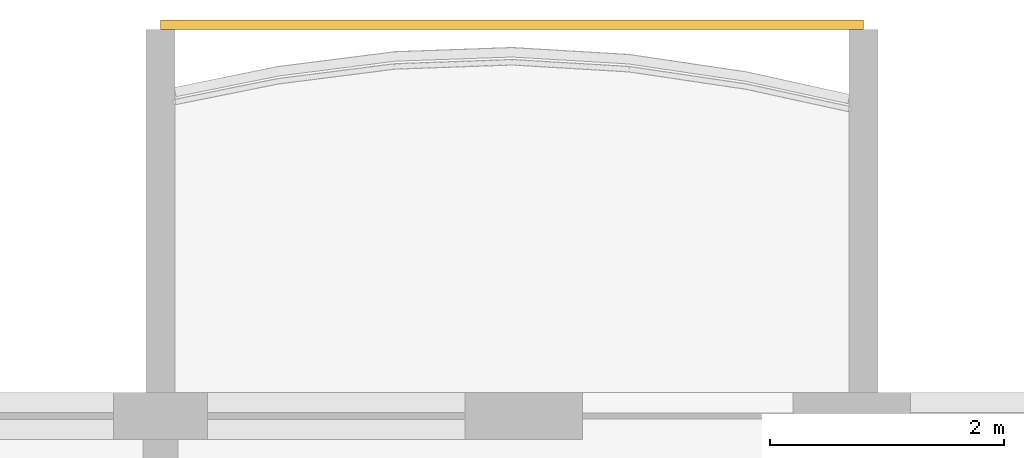
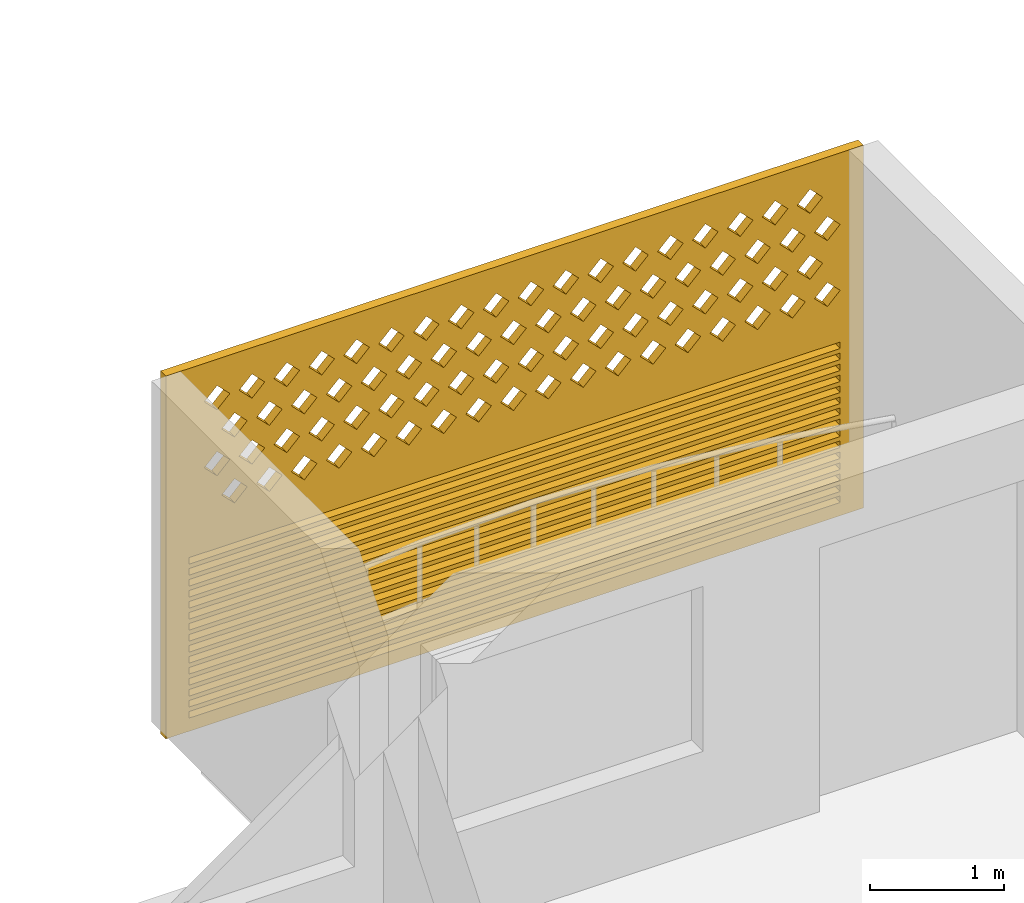
# One storey, part 22 of 26: 1 covering.
"""IFC4 building model written with IfcOpenShell, lengths in metres."""

from ifc_helpers import new_model, si_unit, direction, frame, origin, place, context, subcontext, project, spatial, polyline, outline, extrude, source, transform, mapped, material, material_profile, profile_set, type_object, element, save


model = new_model("IFC4")

# Units and contexts
model_context = context("Model", 3, precision=1e-05, world=origin(), true_north=direction((0.0, 1.0)))
body_context = subcontext(model_context, "Body", "Model", "MODEL_VIEW")
ifc_project = project(units=[si_unit("LENGTHUNIT", "METRE"), si_unit("AREAUNIT", "SQUARE_METRE"), si_unit("VOLUMEUNIT", "CUBIC_METRE"), si_unit("PLANEANGLEUNIT", "RADIAN"), si_unit("MASSUNIT", "GRAM", prefix="KILO")], contexts=[model_context])

# Site, building, storey
site_placement = place(None, origin())
site = spatial("IfcSite", under=ifc_project, at=site_placement, CompositionType="ELEMENT")
building_placement = place(site_placement, origin())
building = spatial("IfcBuilding", under=site, at=building_placement, Name="Poui Terraces", CompositionType="ELEMENT")
storey_placement = place(building_placement, frame((0.0, 0.0, 162.0)))
storey = spatial("IfcBuildingStorey", under=building, at=storey_placement, Name="L45", CompositionType="ELEMENT", Elevation=162.0)

# Covering
ifc_material = material(Name="Terracotta screen", Category="masonry")
ifc_material_profile = material_profile(ifc_material, outline(polyline([(-3.0, -1.64990234375), (3.0, -1.64990234375), (3.0, 1.64990234375), (-3.0, 1.64990234375), (-3.0, -1.64990234375)]), holes=[polyline([(-2.800048828125, 0.39990234375), (-2.68994140625, 0.2900390625), (-2.580078125, 0.39990234375), (-2.68994140625, 0.510009765625), (-2.800048828125, 0.39990234375)]), polyline([(-2.5, 0.39990234375), (-2.389892578125, 0.2900390625), (-2.280029296875, 0.39990234375), (-2.389892578125, 0.510009765625), (-2.5, 0.39990234375)]), polyline([(-2.199951171875, 0.39990234375), (-2.090087890625, 0.2900390625), (-1.97998046875, 0.39990234375), (-2.090087890625, 0.510009765625), (-2.199951171875, 0.39990234375)]), polyline([(-1.89990234375, 0.39990234375), (-1.7900390625, 0.2900390625), (-1.679931640625, 0.39990234375), (-1.7900390625, 0.510009765625), (-1.89990234375, 0.39990234375)]), polyline([(-1.60009765625, 0.39990234375), (-1.489990234375, 0.2900390625), (-1.3798828125, 0.39990234375), (-1.489990234375, 0.510009765625), (-1.60009765625, 0.39990234375)]), polyline([(-1.300048828125, 0.39990234375), (-1.18994140625, 0.2900390625), (-1.080078125, 0.39990234375), (-1.18994140625, 0.510009765625), (-1.300048828125, 0.39990234375)]), polyline([(-1.0, 0.39990234375), (-0.889892578125, 0.2900390625), (-0.780029296875, 0.39990234375), (-0.889892578125, 0.510009765625), (-1.0, 0.39990234375)]), polyline([(-0.699951171875, 0.39990234375), (-0.590087890625, 0.2900390625), (-0.47998046875, 0.39990234375), (-0.590087890625, 0.510009765625), (-0.699951171875, 0.39990234375)]), polyline([(-0.39990234375, 0.39990234375), (-0.2900390625, 0.2900390625), (-0.179931640625, 0.39990234375), (-0.2900390625, 0.510009765625), (-0.39990234375, 0.39990234375)]), polyline([(-0.10009765625, 0.39990234375), (0.010009765625, 0.2900390625), (0.1201171875, 0.39990234375), (0.010009765625, 0.510009765625), (-0.10009765625, 0.39990234375)]), polyline([(0.199951171875, 0.39990234375), (0.31005859375, 0.2900390625), (0.419921875, 0.39990234375), (0.31005859375, 0.510009765625), (0.199951171875, 0.39990234375)]), polyline([(0.5, 0.39990234375), (0.610107421875, 0.2900390625), (0.719970703125, 0.39990234375), (0.610107421875, 0.510009765625), (0.5, 0.39990234375)]), polyline([(0.800048828125, 0.39990234375), (0.909912109375, 0.2900390625), (1.02001953125, 0.39990234375), (0.909912109375, 0.510009765625), (0.800048828125, 0.39990234375)]), polyline([(1.10009765625, 0.39990234375), (1.2099609375, 0.2900390625), (1.320068359375, 0.39990234375), (1.2099609375, 0.510009765625), (1.10009765625, 0.39990234375)]), polyline([(1.39990234375, 0.39990234375), (1.510009765625, 0.2900390625), (1.6201171875, 0.39990234375), (1.510009765625, 0.510009765625), (1.39990234375, 0.39990234375)]), polyline([(1.699951171875, 0.39990234375), (1.81005859375, 0.2900390625), (1.919921875, 0.39990234375), (1.81005859375, 0.510009765625), (1.699951171875, 0.39990234375)]), polyline([(2.0, 0.39990234375), (2.110107421875, 0.2900390625), (2.219970703125, 0.39990234375), (2.110107421875, 0.510009765625), (2.0, 0.39990234375)]), polyline([(2.300048828125, 0.39990234375), (2.409912109375, 0.2900390625), (2.52001953125, 0.39990234375), (2.409912109375, 0.510009765625), (2.300048828125, 0.39990234375)]), polyline([(-2.64990234375, 0.699951171875), (-2.5400390625, 0.590087890625), (-2.429931640625, 0.699951171875), (-2.5400390625, 0.81005859375), (-2.64990234375, 0.699951171875)]), polyline([(-2.35009765625, 0.699951171875), (-2.239990234375, 0.590087890625), (-2.1298828125, 0.699951171875), (-2.239990234375, 0.81005859375), (-2.35009765625, 0.699951171875)]), polyline([(-2.050048828125, 0.699951171875), (-1.93994140625, 0.590087890625), (-1.830078125, 0.699951171875), (-1.93994140625, 0.81005859375), (-2.050048828125, 0.699951171875)]), polyline([(-1.75, 0.699951171875), (-1.639892578125, 0.590087890625), (-1.530029296875, 0.699951171875), (-1.639892578125, 0.81005859375), (-1.75, 0.699951171875)]), polyline([(-1.449951171875, 0.699951171875), (-1.340087890625, 0.590087890625), (-1.22998046875, 0.699951171875), (-1.340087890625, 0.81005859375), (-1.449951171875, 0.699951171875)]), polyline([(-1.14990234375, 0.699951171875), (-1.0400390625, 0.590087890625), (-0.929931640625, 0.699951171875), (-1.0400390625, 0.81005859375), (-1.14990234375, 0.699951171875)]), polyline([(-0.85009765625, 0.699951171875), (-0.739990234375, 0.590087890625), (-0.6298828125, 0.699951171875), (-0.739990234375, 0.81005859375), (-0.85009765625, 0.699951171875)]), polyline([(-0.550048828125, 0.699951171875), (-0.43994140625, 0.590087890625), (-0.330078125, 0.699951171875), (-0.43994140625, 0.81005859375), (-0.550048828125, 0.699951171875)]), polyline([(-0.25, 0.699951171875), (-0.139892578125, 0.590087890625), (-0.030029296875, 0.699951171875), (-0.139892578125, 0.81005859375), (-0.25, 0.699951171875)]), polyline([(0.050048828125, 0.699951171875), (0.159912109375, 0.590087890625), (0.27001953125, 0.699951171875), (0.159912109375, 0.81005859375), (0.050048828125, 0.699951171875)]), polyline([(0.35009765625, 0.699951171875), (0.4599609375, 0.590087890625), (0.570068359375, 0.699951171875), (0.4599609375, 0.81005859375), (0.35009765625, 0.699951171875)]), polyline([(0.64990234375, 0.699951171875), (0.760009765625, 0.590087890625), (0.8701171875, 0.699951171875), (0.760009765625, 0.81005859375), (0.64990234375, 0.699951171875)]), polyline([(0.949951171875, 0.699951171875), (1.06005859375, 0.590087890625), (1.169921875, 0.699951171875), (1.06005859375, 0.81005859375), (0.949951171875, 0.699951171875)]), polyline([(1.25, 0.699951171875), (1.360107421875, 0.590087890625), (1.469970703125, 0.699951171875), (1.360107421875, 0.81005859375), (1.25, 0.699951171875)]), polyline([(1.550048828125, 0.699951171875), (1.659912109375, 0.590087890625), (1.77001953125, 0.699951171875), (1.659912109375, 0.81005859375), (1.550048828125, 0.699951171875)]), polyline([(1.85009765625, 0.699951171875), (1.9599609375, 0.590087890625), (2.070068359375, 0.699951171875), (1.9599609375, 0.81005859375), (1.85009765625, 0.699951171875)]), polyline([(2.14990234375, 0.699951171875), (2.260009765625, 0.590087890625), (2.3701171875, 0.699951171875), (2.260009765625, 0.81005859375), (2.14990234375, 0.699951171875)]), polyline([(2.449951171875, 0.699951171875), (2.56005859375, 0.590087890625), (2.669921875, 0.699951171875), (2.56005859375, 0.81005859375), (2.449951171875, 0.699951171875)]), polyline([(-2.800048828125, 1.0), (-2.68994140625, 0.889892578125), (-2.580078125, 1.0), (-2.68994140625, 1.110107421875), (-2.800048828125, 1.0)]), polyline([(-2.5, 1.0), (-2.389892578125, 0.889892578125), (-2.280029296875, 1.0), (-2.389892578125, 1.110107421875), (-2.5, 1.0)]), polyline([(-2.199951171875, 1.0), (-2.090087890625, 0.889892578125), (-1.97998046875, 1.0), (-2.090087890625, 1.110107421875), (-2.199951171875, 1.0)]), polyline([(-1.89990234375, 1.0), (-1.7900390625, 0.889892578125), (-1.679931640625, 1.0), (-1.7900390625, 1.110107421875), (-1.89990234375, 1.0)]), polyline([(-1.60009765625, 1.0), (-1.489990234375, 0.889892578125), (-1.3798828125, 1.0), (-1.489990234375, 1.110107421875), (-1.60009765625, 1.0)]), polyline([(-1.300048828125, 1.0), (-1.18994140625, 0.889892578125), (-1.080078125, 1.0), (-1.18994140625, 1.110107421875), (-1.300048828125, 1.0)]), polyline([(-1.0, 1.0), (-0.889892578125, 0.889892578125), (-0.780029296875, 1.0), (-0.889892578125, 1.110107421875), (-1.0, 1.0)]), polyline([(-0.699951171875, 1.0), (-0.590087890625, 0.889892578125), (-0.47998046875, 1.0), (-0.590087890625, 1.110107421875), (-0.699951171875, 1.0)]), polyline([(-0.39990234375, 1.0), (-0.2900390625, 0.889892578125), (-0.179931640625, 1.0), (-0.2900390625, 1.110107421875), (-0.39990234375, 1.0)]), polyline([(-0.10009765625, 1.0), (0.010009765625, 0.889892578125), (0.1201171875, 1.0), (0.010009765625, 1.110107421875), (-0.10009765625, 1.0)]), polyline([(0.199951171875, 1.0), (0.31005859375, 0.889892578125), (0.419921875, 1.0), (0.31005859375, 1.110107421875), (0.199951171875, 1.0)]), polyline([(0.5, 1.0), (0.610107421875, 0.889892578125), (0.719970703125, 1.0), (0.610107421875, 1.110107421875), (0.5, 1.0)]), polyline([(0.800048828125, 1.0), (0.909912109375, 0.889892578125), (1.02001953125, 1.0), (0.909912109375, 1.110107421875), (0.800048828125, 1.0)]), polyline([(1.10009765625, 1.0), (1.2099609375, 0.889892578125), (1.320068359375, 1.0), (1.2099609375, 1.110107421875), (1.10009765625, 1.0)]), polyline([(1.39990234375, 1.0), (1.510009765625, 0.889892578125), (1.6201171875, 1.0), (1.510009765625, 1.110107421875), (1.39990234375, 1.0)]), polyline([(1.699951171875, 1.0), (1.81005859375, 0.889892578125), (1.919921875, 1.0), (1.81005859375, 1.110107421875), (1.699951171875, 1.0)]), polyline([(2.0, 1.0), (2.110107421875, 0.889892578125), (2.219970703125, 1.0), (2.110107421875, 1.110107421875), (2.0, 1.0)]), polyline([(2.300048828125, 1.0), (2.409912109375, 0.889892578125), (2.52001953125, 1.0), (2.409912109375, 1.110107421875), (2.300048828125, 1.0)]), polyline([(-2.64990234375, 1.300048828125), (-2.5400390625, 1.18994140625), (-2.429931640625, 1.300048828125), (-2.5400390625, 1.409912109375), (-2.64990234375, 1.300048828125)]), polyline([(-2.35009765625, 1.300048828125), (-2.239990234375, 1.18994140625), (-2.1298828125, 1.300048828125), (-2.239990234375, 1.409912109375), (-2.35009765625, 1.300048828125)]), polyline([(-2.050048828125, 1.300048828125), (-1.93994140625, 1.18994140625), (-1.830078125, 1.300048828125), (-1.93994140625, 1.409912109375), (-2.050048828125, 1.300048828125)]), polyline([(-1.75, 1.300048828125), (-1.639892578125, 1.18994140625), (-1.530029296875, 1.300048828125), (-1.639892578125, 1.409912109375), (-1.75, 1.300048828125)]), polyline([(-1.449951171875, 1.300048828125), (-1.340087890625, 1.18994140625), (-1.22998046875, 1.300048828125), (-1.340087890625, 1.409912109375), (-1.449951171875, 1.300048828125)]), polyline([(-1.14990234375, 1.300048828125), (-1.0400390625, 1.18994140625), (-0.929931640625, 1.300048828125), (-1.0400390625, 1.409912109375), (-1.14990234375, 1.300048828125)]), polyline([(-0.85009765625, 1.300048828125), (-0.739990234375, 1.18994140625), (-0.6298828125, 1.300048828125), (-0.739990234375, 1.409912109375), (-0.85009765625, 1.300048828125)]), polyline([(-0.550048828125, 1.300048828125), (-0.43994140625, 1.18994140625), (-0.330078125, 1.300048828125), (-0.43994140625, 1.409912109375), (-0.550048828125, 1.300048828125)]), polyline([(-0.25, 1.300048828125), (-0.139892578125, 1.18994140625), (-0.030029296875, 1.300048828125), (-0.139892578125, 1.409912109375), (-0.25, 1.300048828125)]), polyline([(0.050048828125, 1.300048828125), (0.159912109375, 1.18994140625), (0.27001953125, 1.300048828125), (0.159912109375, 1.409912109375), (0.050048828125, 1.300048828125)]), polyline([(0.35009765625, 1.300048828125), (0.4599609375, 1.18994140625), (0.570068359375, 1.300048828125), (0.4599609375, 1.409912109375), (0.35009765625, 1.300048828125)]), polyline([(0.64990234375, 1.300048828125), (0.760009765625, 1.18994140625), (0.8701171875, 1.300048828125), (0.760009765625, 1.409912109375), (0.64990234375, 1.300048828125)]), polyline([(0.949951171875, 1.300048828125), (1.06005859375, 1.18994140625), (1.169921875, 1.300048828125), (1.06005859375, 1.409912109375), (0.949951171875, 1.300048828125)]), polyline([(1.25, 1.300048828125), (1.360107421875, 1.18994140625), (1.469970703125, 1.300048828125), (1.360107421875, 1.409912109375), (1.25, 1.300048828125)]), polyline([(1.550048828125, 1.300048828125), (1.659912109375, 1.18994140625), (1.77001953125, 1.300048828125), (1.659912109375, 1.409912109375), (1.550048828125, 1.300048828125)]), polyline([(1.85009765625, 1.300048828125), (1.9599609375, 1.18994140625), (2.070068359375, 1.300048828125), (1.9599609375, 1.409912109375), (1.85009765625, 1.300048828125)]), polyline([(2.14990234375, 1.300048828125), (2.260009765625, 1.18994140625), (2.3701171875, 1.300048828125), (2.260009765625, 1.409912109375), (2.14990234375, 1.300048828125)]), polyline([(2.449951171875, 1.300048828125), (2.56005859375, 1.18994140625), (2.669921875, 1.300048828125), (2.56005859375, 1.409912109375), (2.449951171875, 1.300048828125)]), polyline([(-2.800048828125, -1.530029296875), (2.800048828125, -1.530029296875), (2.800048828125, -1.469970703125), (-2.800048828125, -1.469970703125), (-2.800048828125, -1.530029296875)]), polyline([(-2.800048828125, -1.429931640625), (2.800048828125, -1.429931640625), (2.800048828125, -1.3701171875), (-2.800048828125, -1.3701171875), (-2.800048828125, -1.429931640625)]), polyline([(-2.800048828125, -1.330078125), (2.800048828125, -1.330078125), (2.800048828125, -1.27001953125), (-2.800048828125, -1.27001953125), (-2.800048828125, -1.330078125)]), polyline([(-2.800048828125, -1.22998046875), (2.800048828125, -1.22998046875), (2.800048828125, -1.169921875), (-2.800048828125, -1.169921875), (-2.800048828125, -1.22998046875)]), polyline([(-2.800048828125, -1.1298828125), (2.800048828125, -1.1298828125), (2.800048828125, -1.070068359375), (-2.800048828125, -1.070068359375), (-2.800048828125, -1.1298828125)]), polyline([(-2.800048828125, -1.030029296875), (2.800048828125, -1.030029296875), (2.800048828125, -0.969970703125), (-2.800048828125, -0.969970703125), (-2.800048828125, -1.030029296875)]), polyline([(-2.800048828125, -0.929931640625), (2.800048828125, -0.929931640625), (2.800048828125, -0.8701171875), (-2.800048828125, -0.8701171875), (-2.800048828125, -0.929931640625)]), polyline([(-2.800048828125, -0.830078125), (2.800048828125, -0.830078125), (2.800048828125, -0.77001953125), (-2.800048828125, -0.77001953125), (-2.800048828125, -0.830078125)]), polyline([(-2.800048828125, -0.72998046875), (2.800048828125, -0.72998046875), (2.800048828125, -0.669921875), (-2.800048828125, -0.669921875), (-2.800048828125, -0.72998046875)]), polyline([(-2.800048828125, -0.6298828125), (2.800048828125, -0.6298828125), (2.800048828125, -0.570068359375), (-2.800048828125, -0.570068359375), (-2.800048828125, -0.6298828125)]), polyline([(-2.800048828125, -0.530029296875), (2.800048828125, -0.530029296875), (2.800048828125, -0.469970703125), (-2.800048828125, -0.469970703125), (-2.800048828125, -0.530029296875)]), polyline([(-2.800048828125, -0.429931640625), (2.800048828125, -0.429931640625), (2.800048828125, -0.3701171875), (-2.800048828125, -0.3701171875), (-2.800048828125, -0.429931640625)]), polyline([(-2.800048828125, -0.330078125), (2.800048828125, -0.330078125), (2.800048828125, -0.27001953125), (-2.800048828125, -0.27001953125), (-2.800048828125, -0.330078125)]), polyline([(-2.800048828125, -0.22998046875), (2.800048828125, -0.22998046875), (2.800048828125, -0.169921875), (-2.800048828125, -0.169921875), (-2.800048828125, -0.22998046875)]), polyline([(-2.800048828125, -0.1298828125), (2.800048828125, -0.1298828125), (2.800048828125, -0.070068359375), (-2.800048828125, -0.070068359375), (-2.800048828125, -0.1298828125)])]), Name="TERRACOTTA SCREEN AND JALOUSIE LOUVRE 6000X3300")
ifc_profile_set = profile_set([ifc_material_profile], Name="Terracotta screen")
covering_type = type_object("IfcCoveringType", Name="TERRACOTTA SCREEN AND JALOUSIE LOUVRE 6000X3300", PredefinedType="CLADDING", material=ifc_profile_set)
shared_shape = source(origin(), body_context, "Body", "SweptSolid", [
    extrude(outline(polyline([(-3.0, -1.64990234375), (3.0, -1.64990234375), (3.0, 1.64990234375), (-3.0, 1.64990234375), (-3.0, -1.64990234375)]), holes=[polyline([(-2.800048828125, 0.39990234375), (-2.68994140625, 0.2900390625), (-2.580078125, 0.39990234375), (-2.68994140625, 0.510009765625), (-2.800048828125, 0.39990234375)]), polyline([(-2.5, 0.39990234375), (-2.389892578125, 0.2900390625), (-2.280029296875, 0.39990234375), (-2.389892578125, 0.510009765625), (-2.5, 0.39990234375)]), polyline([(-2.199951171875, 0.39990234375), (-2.090087890625, 0.2900390625), (-1.97998046875, 0.39990234375), (-2.090087890625, 0.510009765625), (-2.199951171875, 0.39990234375)]), polyline([(-1.89990234375, 0.39990234375), (-1.7900390625, 0.2900390625), (-1.679931640625, 0.39990234375), (-1.7900390625, 0.510009765625), (-1.89990234375, 0.39990234375)]), polyline([(-1.60009765625, 0.39990234375), (-1.489990234375, 0.2900390625), (-1.3798828125, 0.39990234375), (-1.489990234375, 0.510009765625), (-1.60009765625, 0.39990234375)]), polyline([(-1.300048828125, 0.39990234375), (-1.18994140625, 0.2900390625), (-1.080078125, 0.39990234375), (-1.18994140625, 0.510009765625), (-1.300048828125, 0.39990234375)]), polyline([(-1.0, 0.39990234375), (-0.889892578125, 0.2900390625), (-0.780029296875, 0.39990234375), (-0.889892578125, 0.510009765625), (-1.0, 0.39990234375)]), polyline([(-0.699951171875, 0.39990234375), (-0.590087890625, 0.2900390625), (-0.47998046875, 0.39990234375), (-0.590087890625, 0.510009765625), (-0.699951171875, 0.39990234375)]), polyline([(-0.39990234375, 0.39990234375), (-0.2900390625, 0.2900390625), (-0.179931640625, 0.39990234375), (-0.2900390625, 0.510009765625), (-0.39990234375, 0.39990234375)]), polyline([(-0.10009765625, 0.39990234375), (0.010009765625, 0.2900390625), (0.1201171875, 0.39990234375), (0.010009765625, 0.510009765625), (-0.10009765625, 0.39990234375)]), polyline([(0.199951171875, 0.39990234375), (0.31005859375, 0.2900390625), (0.419921875, 0.39990234375), (0.31005859375, 0.510009765625), (0.199951171875, 0.39990234375)]), polyline([(0.5, 0.39990234375), (0.610107421875, 0.2900390625), (0.719970703125, 0.39990234375), (0.610107421875, 0.510009765625), (0.5, 0.39990234375)]), polyline([(0.800048828125, 0.39990234375), (0.909912109375, 0.2900390625), (1.02001953125, 0.39990234375), (0.909912109375, 0.510009765625), (0.800048828125, 0.39990234375)]), polyline([(1.10009765625, 0.39990234375), (1.2099609375, 0.2900390625), (1.320068359375, 0.39990234375), (1.2099609375, 0.510009765625), (1.10009765625, 0.39990234375)]), polyline([(1.39990234375, 0.39990234375), (1.510009765625, 0.2900390625), (1.6201171875, 0.39990234375), (1.510009765625, 0.510009765625), (1.39990234375, 0.39990234375)]), polyline([(1.699951171875, 0.39990234375), (1.81005859375, 0.2900390625), (1.919921875, 0.39990234375), (1.81005859375, 0.510009765625), (1.699951171875, 0.39990234375)]), polyline([(2.0, 0.39990234375), (2.110107421875, 0.2900390625), (2.219970703125, 0.39990234375), (2.110107421875, 0.510009765625), (2.0, 0.39990234375)]), polyline([(2.300048828125, 0.39990234375), (2.409912109375, 0.2900390625), (2.52001953125, 0.39990234375), (2.409912109375, 0.510009765625), (2.300048828125, 0.39990234375)]), polyline([(-2.64990234375, 0.699951171875), (-2.5400390625, 0.590087890625), (-2.429931640625, 0.699951171875), (-2.5400390625, 0.81005859375), (-2.64990234375, 0.699951171875)]), polyline([(-2.35009765625, 0.699951171875), (-2.239990234375, 0.590087890625), (-2.1298828125, 0.699951171875), (-2.239990234375, 0.81005859375), (-2.35009765625, 0.699951171875)]), polyline([(-2.050048828125, 0.699951171875), (-1.93994140625, 0.590087890625), (-1.830078125, 0.699951171875), (-1.93994140625, 0.81005859375), (-2.050048828125, 0.699951171875)]), polyline([(-1.75, 0.699951171875), (-1.639892578125, 0.590087890625), (-1.530029296875, 0.699951171875), (-1.639892578125, 0.81005859375), (-1.75, 0.699951171875)]), polyline([(-1.449951171875, 0.699951171875), (-1.340087890625, 0.590087890625), (-1.22998046875, 0.699951171875), (-1.340087890625, 0.81005859375), (-1.449951171875, 0.699951171875)]), polyline([(-1.14990234375, 0.699951171875), (-1.0400390625, 0.590087890625), (-0.929931640625, 0.699951171875), (-1.0400390625, 0.81005859375), (-1.14990234375, 0.699951171875)]), polyline([(-0.85009765625, 0.699951171875), (-0.739990234375, 0.590087890625), (-0.6298828125, 0.699951171875), (-0.739990234375, 0.81005859375), (-0.85009765625, 0.699951171875)]), polyline([(-0.550048828125, 0.699951171875), (-0.43994140625, 0.590087890625), (-0.330078125, 0.699951171875), (-0.43994140625, 0.81005859375), (-0.550048828125, 0.699951171875)]), polyline([(-0.25, 0.699951171875), (-0.139892578125, 0.590087890625), (-0.030029296875, 0.699951171875), (-0.139892578125, 0.81005859375), (-0.25, 0.699951171875)]), polyline([(0.050048828125, 0.699951171875), (0.159912109375, 0.590087890625), (0.27001953125, 0.699951171875), (0.159912109375, 0.81005859375), (0.050048828125, 0.699951171875)]), polyline([(0.35009765625, 0.699951171875), (0.4599609375, 0.590087890625), (0.570068359375, 0.699951171875), (0.4599609375, 0.81005859375), (0.35009765625, 0.699951171875)]), polyline([(0.64990234375, 0.699951171875), (0.760009765625, 0.590087890625), (0.8701171875, 0.699951171875), (0.760009765625, 0.81005859375), (0.64990234375, 0.699951171875)]), polyline([(0.949951171875, 0.699951171875), (1.06005859375, 0.590087890625), (1.169921875, 0.699951171875), (1.06005859375, 0.81005859375), (0.949951171875, 0.699951171875)]), polyline([(1.25, 0.699951171875), (1.360107421875, 0.590087890625), (1.469970703125, 0.699951171875), (1.360107421875, 0.81005859375), (1.25, 0.699951171875)]), polyline([(1.550048828125, 0.699951171875), (1.659912109375, 0.590087890625), (1.77001953125, 0.699951171875), (1.659912109375, 0.81005859375), (1.550048828125, 0.699951171875)]), polyline([(1.85009765625, 0.699951171875), (1.9599609375, 0.590087890625), (2.070068359375, 0.699951171875), (1.9599609375, 0.81005859375), (1.85009765625, 0.699951171875)]), polyline([(2.14990234375, 0.699951171875), (2.260009765625, 0.590087890625), (2.3701171875, 0.699951171875), (2.260009765625, 0.81005859375), (2.14990234375, 0.699951171875)]), polyline([(2.449951171875, 0.699951171875), (2.56005859375, 0.590087890625), (2.669921875, 0.699951171875), (2.56005859375, 0.81005859375), (2.449951171875, 0.699951171875)]), polyline([(-2.800048828125, 1.0), (-2.68994140625, 0.889892578125), (-2.580078125, 1.0), (-2.68994140625, 1.110107421875), (-2.800048828125, 1.0)]), polyline([(-2.5, 1.0), (-2.389892578125, 0.889892578125), (-2.280029296875, 1.0), (-2.389892578125, 1.110107421875), (-2.5, 1.0)]), polyline([(-2.199951171875, 1.0), (-2.090087890625, 0.889892578125), (-1.97998046875, 1.0), (-2.090087890625, 1.110107421875), (-2.199951171875, 1.0)]), polyline([(-1.89990234375, 1.0), (-1.7900390625, 0.889892578125), (-1.679931640625, 1.0), (-1.7900390625, 1.110107421875), (-1.89990234375, 1.0)]), polyline([(-1.60009765625, 1.0), (-1.489990234375, 0.889892578125), (-1.3798828125, 1.0), (-1.489990234375, 1.110107421875), (-1.60009765625, 1.0)]), polyline([(-1.300048828125, 1.0), (-1.18994140625, 0.889892578125), (-1.080078125, 1.0), (-1.18994140625, 1.110107421875), (-1.300048828125, 1.0)]), polyline([(-1.0, 1.0), (-0.889892578125, 0.889892578125), (-0.780029296875, 1.0), (-0.889892578125, 1.110107421875), (-1.0, 1.0)]), polyline([(-0.699951171875, 1.0), (-0.590087890625, 0.889892578125), (-0.47998046875, 1.0), (-0.590087890625, 1.110107421875), (-0.699951171875, 1.0)]), polyline([(-0.39990234375, 1.0), (-0.2900390625, 0.889892578125), (-0.179931640625, 1.0), (-0.2900390625, 1.110107421875), (-0.39990234375, 1.0)]), polyline([(-0.10009765625, 1.0), (0.010009765625, 0.889892578125), (0.1201171875, 1.0), (0.010009765625, 1.110107421875), (-0.10009765625, 1.0)]), polyline([(0.199951171875, 1.0), (0.31005859375, 0.889892578125), (0.419921875, 1.0), (0.31005859375, 1.110107421875), (0.199951171875, 1.0)]), polyline([(0.5, 1.0), (0.610107421875, 0.889892578125), (0.719970703125, 1.0), (0.610107421875, 1.110107421875), (0.5, 1.0)]), polyline([(0.800048828125, 1.0), (0.909912109375, 0.889892578125), (1.02001953125, 1.0), (0.909912109375, 1.110107421875), (0.800048828125, 1.0)]), polyline([(1.10009765625, 1.0), (1.2099609375, 0.889892578125), (1.320068359375, 1.0), (1.2099609375, 1.110107421875), (1.10009765625, 1.0)]), polyline([(1.39990234375, 1.0), (1.510009765625, 0.889892578125), (1.6201171875, 1.0), (1.510009765625, 1.110107421875), (1.39990234375, 1.0)]), polyline([(1.699951171875, 1.0), (1.81005859375, 0.889892578125), (1.919921875, 1.0), (1.81005859375, 1.110107421875), (1.699951171875, 1.0)]), polyline([(2.0, 1.0), (2.110107421875, 0.889892578125), (2.219970703125, 1.0), (2.110107421875, 1.110107421875), (2.0, 1.0)]), polyline([(2.300048828125, 1.0), (2.409912109375, 0.889892578125), (2.52001953125, 1.0), (2.409912109375, 1.110107421875), (2.300048828125, 1.0)]), polyline([(-2.64990234375, 1.300048828125), (-2.5400390625, 1.18994140625), (-2.429931640625, 1.300048828125), (-2.5400390625, 1.409912109375), (-2.64990234375, 1.300048828125)]), polyline([(-2.35009765625, 1.300048828125), (-2.239990234375, 1.18994140625), (-2.1298828125, 1.300048828125), (-2.239990234375, 1.409912109375), (-2.35009765625, 1.300048828125)]), polyline([(-2.050048828125, 1.300048828125), (-1.93994140625, 1.18994140625), (-1.830078125, 1.300048828125), (-1.93994140625, 1.409912109375), (-2.050048828125, 1.300048828125)]), polyline([(-1.75, 1.300048828125), (-1.639892578125, 1.18994140625), (-1.530029296875, 1.300048828125), (-1.639892578125, 1.409912109375), (-1.75, 1.300048828125)]), polyline([(-1.449951171875, 1.300048828125), (-1.340087890625, 1.18994140625), (-1.22998046875, 1.300048828125), (-1.340087890625, 1.409912109375), (-1.449951171875, 1.300048828125)]), polyline([(-1.14990234375, 1.300048828125), (-1.0400390625, 1.18994140625), (-0.929931640625, 1.300048828125), (-1.0400390625, 1.409912109375), (-1.14990234375, 1.300048828125)]), polyline([(-0.85009765625, 1.300048828125), (-0.739990234375, 1.18994140625), (-0.6298828125, 1.300048828125), (-0.739990234375, 1.409912109375), (-0.85009765625, 1.300048828125)]), polyline([(-0.550048828125, 1.300048828125), (-0.43994140625, 1.18994140625), (-0.330078125, 1.300048828125), (-0.43994140625, 1.409912109375), (-0.550048828125, 1.300048828125)]), polyline([(-0.25, 1.300048828125), (-0.139892578125, 1.18994140625), (-0.030029296875, 1.300048828125), (-0.139892578125, 1.409912109375), (-0.25, 1.300048828125)]), polyline([(0.050048828125, 1.300048828125), (0.159912109375, 1.18994140625), (0.27001953125, 1.300048828125), (0.159912109375, 1.409912109375), (0.050048828125, 1.300048828125)]), polyline([(0.35009765625, 1.300048828125), (0.4599609375, 1.18994140625), (0.570068359375, 1.300048828125), (0.4599609375, 1.409912109375), (0.35009765625, 1.300048828125)]), polyline([(0.64990234375, 1.300048828125), (0.760009765625, 1.18994140625), (0.8701171875, 1.300048828125), (0.760009765625, 1.409912109375), (0.64990234375, 1.300048828125)]), polyline([(0.949951171875, 1.300048828125), (1.06005859375, 1.18994140625), (1.169921875, 1.300048828125), (1.06005859375, 1.409912109375), (0.949951171875, 1.300048828125)]), polyline([(1.25, 1.300048828125), (1.360107421875, 1.18994140625), (1.469970703125, 1.300048828125), (1.360107421875, 1.409912109375), (1.25, 1.300048828125)]), polyline([(1.550048828125, 1.300048828125), (1.659912109375, 1.18994140625), (1.77001953125, 1.300048828125), (1.659912109375, 1.409912109375), (1.550048828125, 1.300048828125)]), polyline([(1.85009765625, 1.300048828125), (1.9599609375, 1.18994140625), (2.070068359375, 1.300048828125), (1.9599609375, 1.409912109375), (1.85009765625, 1.300048828125)]), polyline([(2.14990234375, 1.300048828125), (2.260009765625, 1.18994140625), (2.3701171875, 1.300048828125), (2.260009765625, 1.409912109375), (2.14990234375, 1.300048828125)]), polyline([(2.449951171875, 1.300048828125), (2.56005859375, 1.18994140625), (2.669921875, 1.300048828125), (2.56005859375, 1.409912109375), (2.449951171875, 1.300048828125)]), polyline([(-2.800048828125, -1.530029296875), (2.800048828125, -1.530029296875), (2.800048828125, -1.469970703125), (-2.800048828125, -1.469970703125), (-2.800048828125, -1.530029296875)]), polyline([(-2.800048828125, -1.429931640625), (2.800048828125, -1.429931640625), (2.800048828125, -1.3701171875), (-2.800048828125, -1.3701171875), (-2.800048828125, -1.429931640625)]), polyline([(-2.800048828125, -1.330078125), (2.800048828125, -1.330078125), (2.800048828125, -1.27001953125), (-2.800048828125, -1.27001953125), (-2.800048828125, -1.330078125)]), polyline([(-2.800048828125, -1.22998046875), (2.800048828125, -1.22998046875), (2.800048828125, -1.169921875), (-2.800048828125, -1.169921875), (-2.800048828125, -1.22998046875)]), polyline([(-2.800048828125, -1.1298828125), (2.800048828125, -1.1298828125), (2.800048828125, -1.070068359375), (-2.800048828125, -1.070068359375), (-2.800048828125, -1.1298828125)]), polyline([(-2.800048828125, -1.030029296875), (2.800048828125, -1.030029296875), (2.800048828125, -0.969970703125), (-2.800048828125, -0.969970703125), (-2.800048828125, -1.030029296875)]), polyline([(-2.800048828125, -0.929931640625), (2.800048828125, -0.929931640625), (2.800048828125, -0.8701171875), (-2.800048828125, -0.8701171875), (-2.800048828125, -0.929931640625)]), polyline([(-2.800048828125, -0.830078125), (2.800048828125, -0.830078125), (2.800048828125, -0.77001953125), (-2.800048828125, -0.77001953125), (-2.800048828125, -0.830078125)]), polyline([(-2.800048828125, -0.72998046875), (2.800048828125, -0.72998046875), (2.800048828125, -0.669921875), (-2.800048828125, -0.669921875), (-2.800048828125, -0.72998046875)]), polyline([(-2.800048828125, -0.6298828125), (2.800048828125, -0.6298828125), (2.800048828125, -0.570068359375), (-2.800048828125, -0.570068359375), (-2.800048828125, -0.6298828125)]), polyline([(-2.800048828125, -0.530029296875), (2.800048828125, -0.530029296875), (2.800048828125, -0.469970703125), (-2.800048828125, -0.469970703125), (-2.800048828125, -0.530029296875)]), polyline([(-2.800048828125, -0.429931640625), (2.800048828125, -0.429931640625), (2.800048828125, -0.3701171875), (-2.800048828125, -0.3701171875), (-2.800048828125, -0.429931640625)]), polyline([(-2.800048828125, -0.330078125), (2.800048828125, -0.330078125), (2.800048828125, -0.27001953125), (-2.800048828125, -0.27001953125), (-2.800048828125, -0.330078125)]), polyline([(-2.800048828125, -0.22998046875), (2.800048828125, -0.22998046875), (2.800048828125, -0.169921875), (-2.800048828125, -0.169921875), (-2.800048828125, -0.22998046875)]), polyline([(-2.800048828125, -0.1298828125), (2.800048828125, -0.1298828125), (2.800048828125, -0.070068359375), (-2.800048828125, -0.070068359375), (-2.800048828125, -0.1298828125)])]), origin(), (0.0, 0.0, 1.0), 0.080078125),
])
covering_placement = place(storey_placement, frame((57.0, 45.699951171875, 1.449951171875), z_axis=(0.0, 1.0, 0.0), x_axis=(-1.0, 0.0, 0.0)))
element("IfcCovering", 1, at=covering_placement, inside=storey, type_object=covering_type, Name="SOLAR SCREEN AND JALOUSIE LOUVRE", PredefinedType="CLADDING", context=body_context, shape_type="MappedRepresentation", body=[
    mapped(shared_shape, transform((0.0, 0.0, 0.0))),
])

save(model, "model.ifc")
